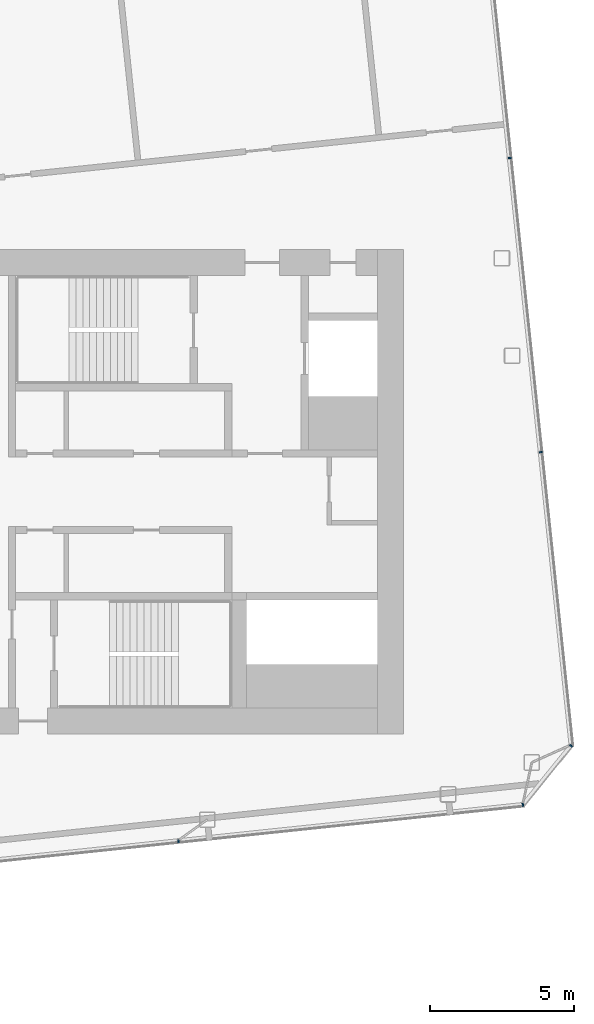
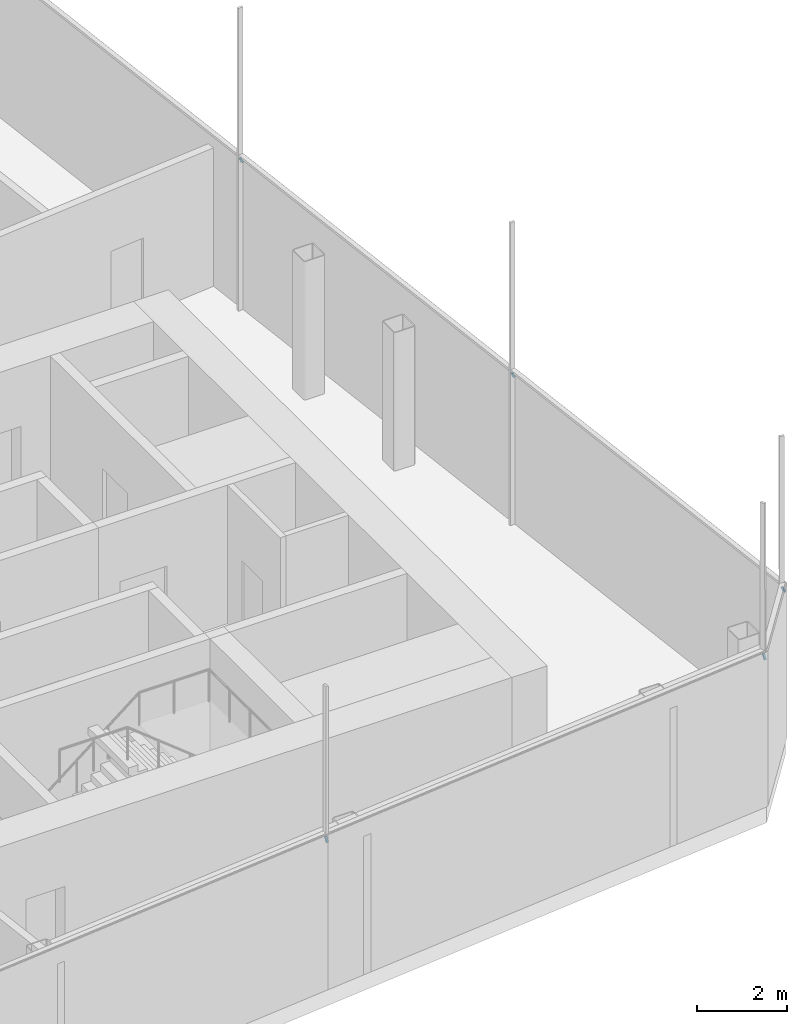
# One storey, part 35 of 41: 5 discrete accessories.
"""IFC4 building model written with IfcOpenShell, lengths in metres."""

from ifc_helpers import new_model, si_unit, direction, frame, origin, origin_2d, place, context, subcontext, project, spatial, rectangle, extrude, material, material_profile, profile_set, type_object, element, save


model = new_model("IFC4")

# Units and contexts
model_context = context("Model", 3, precision=1e-05, world=origin(), true_north=direction((0.0, 1.0)))
body_context = subcontext(model_context, "Body", "Model", "MODEL_VIEW")
ifc_project = project(units=[si_unit("LENGTHUNIT", "METRE"), si_unit("AREAUNIT", "SQUARE_METRE"), si_unit("VOLUMEUNIT", "CUBIC_METRE"), si_unit("PLANEANGLEUNIT", "RADIAN"), si_unit("MASSUNIT", "GRAM", prefix="KILO")], contexts=[model_context])

# Site, building, storey
site_placement = place(None, origin())
site = spatial("IfcSite", under=ifc_project, at=site_placement, CompositionType="ELEMENT")
building_placement = place(site_placement, origin())
building = spatial("IfcBuilding", under=site, at=building_placement, Name="Hakoniwa Tower and Hamabe Station Hall", CompositionType="ELEMENT")
storey_placement = place(building_placement, frame((0.0, 0.0, 276.60009765625)))
storey = spatial("IfcBuildingStorey", under=building, at=storey_placement, Name="L77", CompositionType="ELEMENT", Elevation=276.60009765625)

# Discrete accessories
ifc_material = material(Name="Stainless steel SUS304", Category="steel")
ifc_material_profile = material_profile(ifc_material, rectangle(XDim=0.050048828125, YDim=0.050048828125, at=origin_2d()), Name="CW-4 GLAZING BRACKET 50X50")
ifc_profile_set = profile_set([ifc_material_profile], Name="Stainless steel SUS304")
discrete_accessory_type = type_object("IfcDiscreteAccessoryType", Name="CW-4 GLAZING BRACKET 50X50", PredefinedType="BRACKET", material=ifc_profile_set)
for number, where, z_axis, x_axis, name in (
    (1, (25.79345703125, -12.09375, 4.099853515625), (0.045758977939, -0.431190369039, -0.901099873258), (0.994416132921, 0.10552987533, 0.0), "Glazing bracket"),
    (2, (37.265625, 11.574951171875, 4.099853515625), (0.429755998525, 0.045793671974, -0.901783078872), (-0.105957528947, 0.994370656274, 0.0), "Glazing bracket"),
):
    element("IfcDiscreteAccessory", number, at=place(storey_placement, frame(where, z_axis=z_axis, x_axis=x_axis)), inside=storey, type_object=discrete_accessory_type, Name=name, PredefinedType="BRACKET", context=body_context, shape_type="SweptSolid", body=[
        extrude(rectangle(XDim=0.050048828125, YDim=0.050048828125, at=origin_2d()), origin(), (0.0, 0.0, 1.0), 0.138671875),
    ])
discrete_accessory_1_placement = place(storey_placement, frame((37.740234375, -10.82080078125, 4.099853515625), z_axis=(0.05481319218, -0.523216834449, -0.850434981708), x_axis=(0.99455723192, 0.104191710011, 0.0)))
element("IfcDiscreteAccessory", 3, at=discrete_accessory_1_placement, inside=storey, type_object=discrete_accessory_type, Name="Glazing bracket", PredefinedType="BRACKET", context=body_context, shape_type="SweptSolid", body=[
    extrude(rectangle(XDim=0.050048828125, YDim=0.050048828125, at=origin_2d()), origin(), (0.0, 0.0, 1.0), 0.14697265625),
])
discrete_accessory_2_placement = place(storey_placement, frame((38.338134765625, 1.371337890625, 4.099853515625), z_axis=(0.429789998446, 0.044035860496, -0.901854422968), x_axis=(-0.101925414299, 0.994792043555, 0.0)))
element("IfcDiscreteAccessory", 4, at=discrete_accessory_2_placement, inside=storey, type_object=discrete_accessory_type, Name="Glazing bracket", PredefinedType="BRACKET", context=body_context, shape_type="SweptSolid", body=[
    extrude(rectangle(XDim=0.050048828125, YDim=0.050048828125, at=origin_2d()), origin(), (0.0, 0.0, 1.0), 0.138671875),
])
discrete_accessory_3_placement = place(storey_placement, frame((39.386474609375, -8.78955078125, 4.099853515625), z_axis=(0.415594385151, -0.338082733952, -0.844382242846), x_axis=(0.631056071737, 0.775737219891, 0.0)))
element("IfcDiscreteAccessory", 5, at=discrete_accessory_3_placement, inside=storey, type_object=discrete_accessory_type, Name="Glazing bracket", PredefinedType="BRACKET", context=body_context, shape_type="SweptSolid", body=[
    extrude(rectangle(XDim=0.050048828125, YDim=0.050048828125, at=origin_2d()), origin(), (0.0, 0.0, 1.0), 0.14794921875),
])

save(model, "model.ifc")
